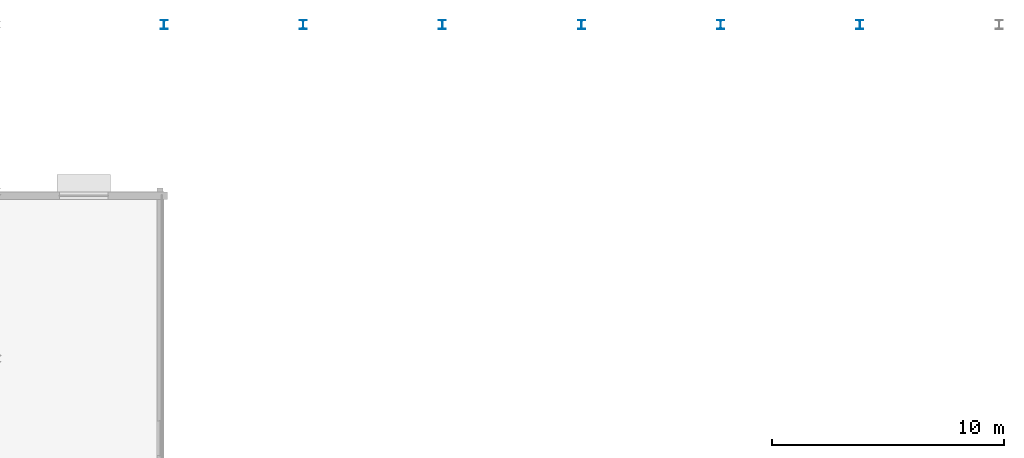
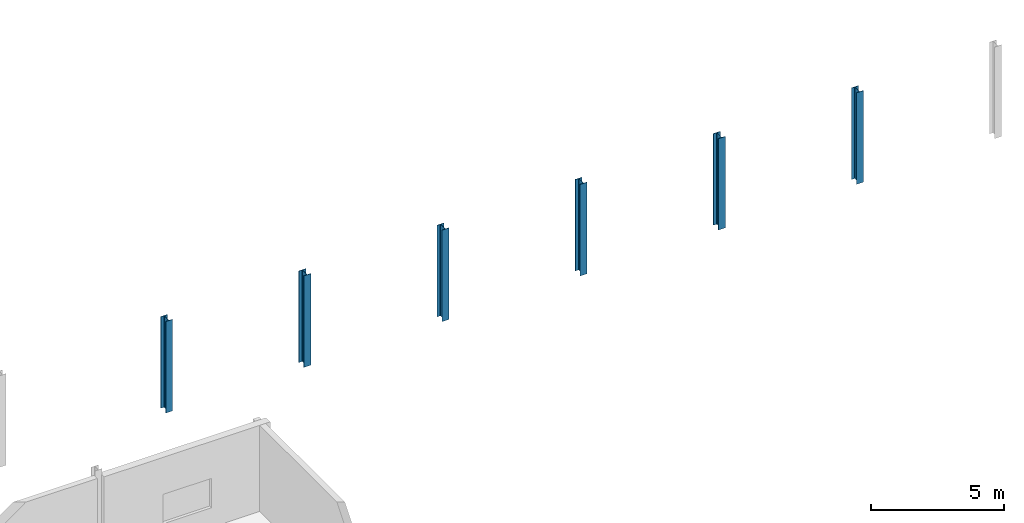
# One storey, part 7 of 60: 6 columns.
"""IFC4 building model written with IfcOpenShell, lengths in metres."""

from ifc_helpers import new_model, si_unit, direction, frame, origin, origin_2d, place, context, subcontext, project, spatial, i_section, extrude, material, material_profile, profile_set, type_object, element, save


model = new_model("IFC4")

# Units and contexts
model_context = context("Model", 3, precision=1e-05, world=origin(), true_north=direction((0.0, 1.0)))
body_context = subcontext(model_context, "Body", "Model", "MODEL_VIEW")
ifc_project = project(units=[si_unit("LENGTHUNIT", "METRE"), si_unit("AREAUNIT", "SQUARE_METRE"), si_unit("VOLUMEUNIT", "CUBIC_METRE"), si_unit("PLANEANGLEUNIT", "RADIAN"), si_unit("MASSUNIT", "GRAM", prefix="KILO")], contexts=[model_context])

# Site, building, storey
site_placement = place(None, origin())
site = spatial("IfcSite", under=ifc_project, at=site_placement, CompositionType="ELEMENT")
building_placement = place(site_placement, origin())
building = spatial("IfcBuilding", under=site, at=building_placement, Name="Brisavento Harbour Community Centre", CompositionType="ELEMENT")
storey_placement = place(building_placement, frame((0.0, 0.0, 4.5)))
storey = spatial("IfcBuildingStorey", under=building, at=storey_placement, Name="L01", CompositionType="ELEMENT", Elevation=4.5)

# Columns
ifc_material = material(Name="Steel S355", Category="steel")
ifc_material_profile = material_profile(ifc_material, i_section(OverallWidth=0.300048828125, OverallDepth=0.389892578125, WebThickness=0.010986328125, FlangeThickness=0.01904296875, FilletRadius=0.027099609375, at=origin_2d()), Name="Steel S355")
ifc_profile_set = profile_set([ifc_material_profile], Name="Steel S355")
column_type = type_object("IfcColumnType", Name="COL-STL-HEA400", PredefinedType="COLUMN", material=ifc_profile_set)
for number, where, z_axis, x_axis, name in (
    (1, (129.60009765625, 115.199951171875, 0.0), (0.0, 0.0, 1.0), (1.0, 0.0, 0.0), "L01 column V4TN-1"),
    (2, (135.60009765625, 115.199951171875, 0.0), (0.0, 0.0, 1.0), (1.0, 0.0, 0.0), "L01 column V4TN-2"),
    (3, (141.60009765625, 115.199951171875, 0.0), (0.0, 0.0, 1.0), (1.0, 0.0, 0.0), "L01 column V4TN-3"),
    (4, (147.60009765625, 115.199951171875, 0.0), (0.0, 0.0, 1.0), (1.0, 0.0, 0.0), "L01 column V4TN-4"),
    (5, (153.60009765625, 115.199951171875, 0.0), (0.0, 0.0, 1.0), (1.0, 0.0, 0.0), "L01 column V4TN-5"),
    (6, (159.60009765625, 115.199951171875, 0.0), (0.0, 0.0, 1.0), (1.0, 0.0, 0.0), "L01 column V4TN-6"),
):
    element("IfcColumn", number, at=place(storey_placement, frame(where, z_axis=z_axis, x_axis=x_axis)), inside=storey, type_object=column_type, Name=name, PredefinedType="COLUMN", context=body_context, shape_type="SweptSolid", body=[
        extrude(i_section(OverallWidth=0.300048828125, OverallDepth=0.389892578125, WebThickness=0.010986328125, FlangeThickness=0.01904296875, FilletRadius=0.027099609375, at=origin_2d()), origin(), (0.0, 0.0, 1.0), 4.199951171875),
    ])

save(model, "model.ifc")
